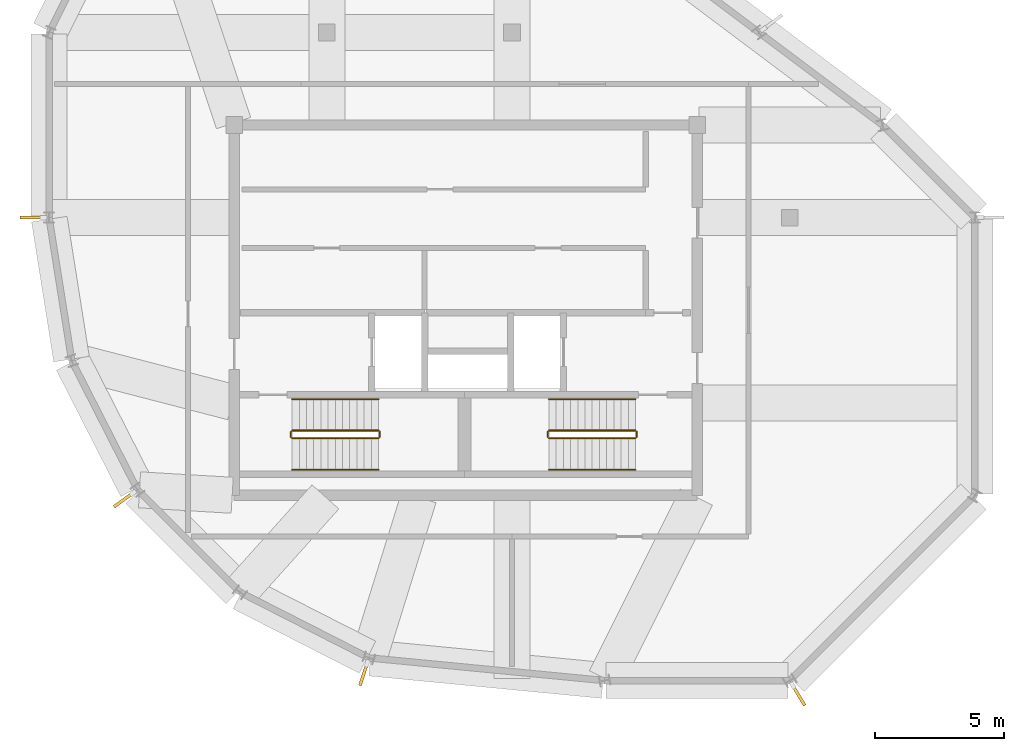
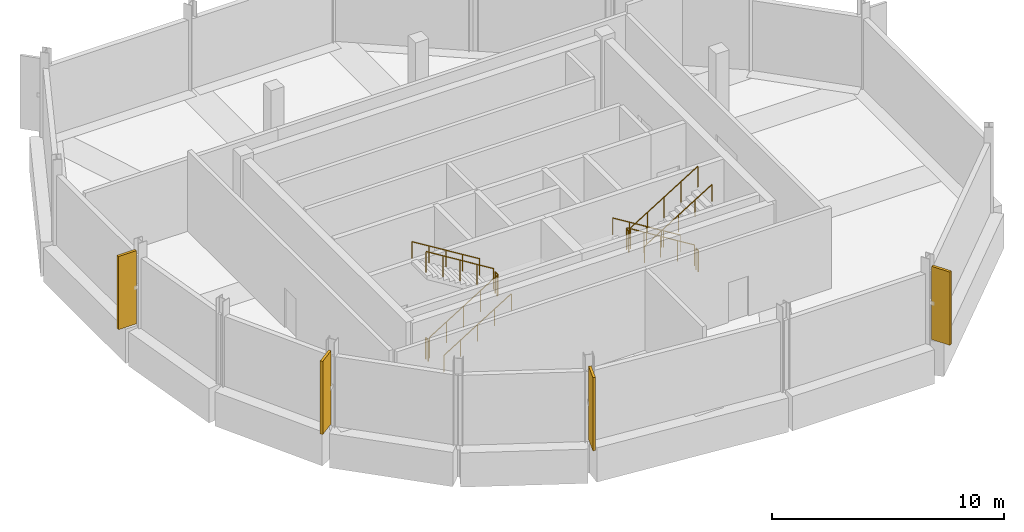
# One storey, part 4 of 5: 12 railings, 4 shading devices.
"""IFC4 building model written with IfcOpenShell, lengths in metres."""

from ifc_helpers import new_model, si_unit, direction, frame, origin, origin_2d, place, context, subcontext, project, spatial, rectangle, circle, extrude, material, type_object, element, save


model = new_model("IFC4")

# Units and contexts
model_context = context("Model", 3, precision=1e-05, world=origin(), true_north=direction((0.0, 1.0)))
body_context = subcontext(model_context, "Body", "Model", "MODEL_VIEW")
ifc_project = project(units=[si_unit("LENGTHUNIT", "METRE"), si_unit("AREAUNIT", "SQUARE_METRE"), si_unit("VOLUMEUNIT", "CUBIC_METRE"), si_unit("PLANEANGLEUNIT", "RADIAN"), si_unit("MASSUNIT", "GRAM", prefix="KILO")], contexts=[model_context])

# Site, building, storey
site_placement = place(None, origin())
site = spatial("IfcSite", under=ifc_project, at=site_placement, CompositionType="ELEMENT")
building_placement = place(site_placement, origin())
building = spatial("IfcBuilding", under=site, at=building_placement, Name="Solnavia Interchange Tower", CompositionType="ELEMENT")
storey_placement = place(building_placement, frame((0.0, 0.0, 304.199951171875)))
storey = spatial("IfcBuildingStorey", under=building, at=storey_placement, Name="C01", CompositionType="ELEMENT", Elevation=304.199951171875)

# Shading devices
ifc_material_1 = material(Name="Anodised Aluminium Fin", Category="aluminium")
shading_device_type = type_object("IfcShadingDeviceType", Name="CrownFin-Alu-900", PredefinedType="USERDEFINED", material=ifc_material_1)
for number, where, z_axis, x_axis, name in (
    (1, (6.52001953125, 21.60009765625, 0.199951171875), (0.0, 0.0, 1.0), (-1.0, 0.0, 0.0), "FIN-C01-F09 Crown ring vertical aerofoil fin"),
    (2, (10.087890625, 10.620361328125, 0.199951171875), (0.0, 0.0, 1.0), (-0.809016994375, -0.587785252292, 0.0), "FIN-C01-F11 Crown ring vertical aerofoil fin"),
    (3, (19.427978515625, 3.834228515625, 0.199951171875), (0.0, 0.0, 1.0), (-0.309016994375, -0.951056516295, 0.0), "FIN-C01-F13 Crown ring vertical aerofoil fin"),
    (4, (36.349853515625, 3.016845703125, 0.199951171875), (0.0, 0.0, 1.0), (0.514439533782, -0.857526656194, 0.0), "FIN-C01-F15 Crown ring vertical aerofoil fin"),
):
    element("IfcShadingDevice", number, at=place(storey_placement, frame(where, z_axis=z_axis, x_axis=x_axis)), inside=storey, type_object=shading_device_type, Name=name, ObjectType="FIN", PredefinedType="USERDEFINED", context=body_context, shape_type="SweptSolid", body=[
        extrude(rectangle(XDim=0.89990234375, YDim=0.1201171875, at=origin_2d()), origin(), (0.0, 0.0, 1.0), 3.85009765625),
    ])

# Railings
ifc_material_2 = material(Name="Painted Steel Balustrade", Category="steel")
railing_type_1 = type_object("IfcRailingType", Name="Railing-StairGuard-1100", PredefinedType="GUARDRAIL", material=ifc_material_2)
railing_1_placement = place(storey_placement, frame((16.64990234375, 13.02001953125, 0.173095703125)))
element("IfcRailing", 5, at=railing_1_placement, inside=storey, type_object=railing_type_1, Name="C01 ST-1 stair guard 1", PredefinedType="GUARDRAIL", context=body_context, shape_type="SweptSolid", body=[
    extrude(circle(Radius=0.02392578125, at=origin_2d()), frame((0.0, 0.0, 1.09619140625), z_axis=(0.850623216509, 0.0, 0.525775754039), x_axis=(0.0, 1.0, 0.0)), (0.0, 0.0, 1.0), 3.9501953125),
    extrude(circle(Radius=0.02099609375, at=origin_2d()), origin(), (0.0, 0.0, 1.0), 1.072021484375),
    extrude(circle(Radius=0.02099609375, at=origin_2d()), frame((0.840087890625, 0.0, 0.519287109375)), (0.0, 0.0, 1.0), 1.072021484375),
    extrude(circle(Radius=0.02099609375, at=origin_2d()), frame((1.68017578125, 0.0, 1.03857421875)), (0.0, 0.0, 1.0), 1.072021484375),
    extrude(circle(Radius=0.02099609375, at=origin_2d()), frame((2.52001953125, 0.0, 1.5576171875)), (0.0, 0.0, 1.0), 1.072021484375),
    extrude(circle(Radius=0.02099609375, at=origin_2d()), frame((3.360107421875, 0.0, 2.076904296875)), (0.0, 0.0, 1.0), 1.072021484375),
])
railing_2_placement = place(storey_placement, frame((20.06005859375, 13.070068359375, 2.25)))
element("IfcRailing", 6, at=railing_2_placement, inside=storey, type_object=railing_type_1, Name="C01 ST-1 stair guard 2", PredefinedType="GUARDRAIL", context=body_context, shape_type="SweptSolid", body=[
    extrude(circle(Radius=0.02392578125, at=origin_2d()), frame((0.0, 0.0, 1.09619140625), z_axis=(0.0, 1.0, 0.0), x_axis=(-1.0, 0.0, 0.0)), (0.0, 0.0, 1.0), 0.199951171875),
    extrude(circle(Radius=0.02099609375, at=origin_2d()), origin(), (0.0, 0.0, 1.0), 1.072021484375),
    extrude(circle(Radius=0.02099609375, at=origin_2d()), frame((0.0, 0.199951171875, 0.0)), (0.0, 0.0, 1.0), 1.072021484375),
])
railing_3_placement = place(storey_placement, frame((20.010009765625, 13.320068359375, 2.423095703125)))
element("IfcRailing", 7, at=railing_3_placement, inside=storey, type_object=railing_type_1, Name="C01 ST-1 stair guard 3", PredefinedType="GUARDRAIL", context=body_context, shape_type="SweptSolid", body=[
    extrude(circle(Radius=0.02392578125, at=origin_2d()), frame((0.0, 0.0, 1.09619140625), z_axis=(-0.850623216509, 0.0, 0.525775754039), x_axis=(0.0, -1.0, 0.0)), (0.0, 0.0, 1.0), 3.9501953125),
    extrude(circle(Radius=0.02099609375, at=origin_2d()), origin(), (0.0, 0.0, 1.0), 1.072021484375),
    extrude(circle(Radius=0.02099609375, at=origin_2d()), frame((-0.840087890625, 0.0, 0.519287109375)), (0.0, 0.0, 1.0), 1.072021484375),
    extrude(circle(Radius=0.02099609375, at=origin_2d()), frame((-1.68017578125, 0.0, 1.03857421875)), (0.0, 0.0, 1.0), 1.072021484375),
    extrude(circle(Radius=0.02099609375, at=origin_2d()), frame((-2.52001953125, 0.0, 1.5576171875)), (0.0, 0.0, 1.0), 1.072021484375),
    extrude(circle(Radius=0.02099609375, at=origin_2d()), frame((-3.360107421875, 0.0, 2.076904296875)), (0.0, 0.0, 1.0), 1.072021484375),
])
railing_4_placement = place(storey_placement, frame((16.60009765625, 13.070068359375, 0.0)))
element("IfcRailing", 8, at=railing_4_placement, inside=storey, type_object=railing_type_1, Name="C01 ST-1 stair guard 4", PredefinedType="GUARDRAIL", context=body_context, shape_type="SweptSolid", body=[
    extrude(circle(Radius=0.02392578125, at=origin_2d()), frame((0.0, 0.0, 1.09619140625), z_axis=(0.0, 1.0, 0.0), x_axis=(-1.0, 0.0, 0.0)), (0.0, 0.0, 1.0), 0.199951171875),
    extrude(circle(Radius=0.02099609375, at=origin_2d()), origin(), (0.0, 0.0, 1.0), 1.072021484375),
    extrude(circle(Radius=0.02099609375, at=origin_2d()), frame((0.0, 0.199951171875, 0.0)), (0.0, 0.0, 1.0), 1.072021484375),
])
railing_5_placement = place(storey_placement, frame((30.0, 13.320068359375, 0.173095703125)))
element("IfcRailing", 9, at=railing_5_placement, inside=storey, type_object=railing_type_1, Name="C01 ST-2 stair guard 1", PredefinedType="GUARDRAIL", context=body_context, shape_type="SweptSolid", body=[
    extrude(circle(Radius=0.02392578125, at=origin_2d()), frame((0.0, 0.0, 1.09619140625), z_axis=(-0.850623216509, 0.0, 0.525775754039), x_axis=(0.0, -1.0, 0.0)), (0.0, 0.0, 1.0), 3.9501953125),
    extrude(circle(Radius=0.02099609375, at=origin_2d()), origin(), (0.0, 0.0, 1.0), 1.072021484375),
    extrude(circle(Radius=0.02099609375, at=origin_2d()), frame((-0.840087890625, 0.0, 0.519287109375)), (0.0, 0.0, 1.0), 1.072021484375),
    extrude(circle(Radius=0.02099609375, at=origin_2d()), frame((-1.68017578125, 0.0, 1.03857421875)), (0.0, 0.0, 1.0), 1.072021484375),
    extrude(circle(Radius=0.02099609375, at=origin_2d()), frame((-2.52001953125, 0.0, 1.5576171875)), (0.0, 0.0, 1.0), 1.072021484375),
    extrude(circle(Radius=0.02099609375, at=origin_2d()), frame((-3.360107421875, 0.0, 2.076904296875)), (0.0, 0.0, 1.0), 1.072021484375),
])
railing_6_placement = place(storey_placement, frame((26.590087890625, 13.27001953125, 2.25)))
element("IfcRailing", 10, at=railing_6_placement, inside=storey, type_object=railing_type_1, Name="C01 ST-2 stair guard 2", PredefinedType="GUARDRAIL", context=body_context, shape_type="SweptSolid", body=[
    extrude(circle(Radius=0.02392578125, at=origin_2d()), frame((0.0, 0.0, 1.09619140625), z_axis=(0.0, -1.0, 0.0), x_axis=(1.0, 0.0, 0.0)), (0.0, 0.0, 1.0), 0.199951171875),
    extrude(circle(Radius=0.02099609375, at=origin_2d()), origin(), (0.0, 0.0, 1.0), 1.072021484375),
    extrude(circle(Radius=0.02099609375, at=origin_2d()), frame((0.0, -0.199951171875, 0.0)), (0.0, 0.0, 1.0), 1.072021484375),
])
railing_7_placement = place(storey_placement, frame((26.639892578125, 13.02001953125, 2.423095703125)))
element("IfcRailing", 11, at=railing_7_placement, inside=storey, type_object=railing_type_1, Name="C01 ST-2 stair guard 3", PredefinedType="GUARDRAIL", context=body_context, shape_type="SweptSolid", body=[
    extrude(circle(Radius=0.02392578125, at=origin_2d()), frame((0.0, 0.0, 1.09619140625), z_axis=(0.850623216509, 0.0, 0.525775754039), x_axis=(0.0, 1.0, 0.0)), (0.0, 0.0, 1.0), 3.9501953125),
    extrude(circle(Radius=0.02099609375, at=origin_2d()), origin(), (0.0, 0.0, 1.0), 1.072021484375),
    extrude(circle(Radius=0.02099609375, at=origin_2d()), frame((0.840087890625, 0.0, 0.519287109375)), (0.0, 0.0, 1.0), 1.072021484375),
    extrude(circle(Radius=0.02099609375, at=origin_2d()), frame((1.68017578125, 0.0, 1.03857421875)), (0.0, 0.0, 1.0), 1.072021484375),
    extrude(circle(Radius=0.02099609375, at=origin_2d()), frame((2.52001953125, 0.0, 1.5576171875)), (0.0, 0.0, 1.0), 1.072021484375),
    extrude(circle(Radius=0.02099609375, at=origin_2d()), frame((3.360107421875, 0.0, 2.076904296875)), (0.0, 0.0, 1.0), 1.072021484375),
])
railing_8_placement = place(storey_placement, frame((30.050048828125, 13.27001953125, 0.0)))
element("IfcRailing", 12, at=railing_8_placement, inside=storey, type_object=railing_type_1, Name="C01 ST-2 stair guard 4", PredefinedType="GUARDRAIL", context=body_context, shape_type="SweptSolid", body=[
    extrude(circle(Radius=0.02392578125, at=origin_2d()), frame((0.0, 0.0, 1.09619140625), z_axis=(0.0, -1.0, 0.0), x_axis=(1.0, 0.0, 0.0)), (0.0, 0.0, 1.0), 0.199951171875),
    extrude(circle(Radius=0.02099609375, at=origin_2d()), origin(), (0.0, 0.0, 1.0), 1.072021484375),
    extrude(circle(Radius=0.02099609375, at=origin_2d()), frame((0.0, -0.199951171875, 0.0)), (0.0, 0.0, 1.0), 1.072021484375),
])
ifc_material_3 = material(Name="Brushed Stainless Steel", Category="steel")
railing_type_2 = type_object("IfcRailingType", Name="Railing-StairHandrail-900", PredefinedType="HANDRAIL", material=ifc_material_3)
railing_9_placement = place(storey_placement, frame((16.64990234375, 11.800048828125, 0.173095703125)))
element("IfcRailing", 13, at=railing_9_placement, inside=storey, type_object=railing_type_2, Name="C01 ST-1 stair handrail 1", PredefinedType="HANDRAIL", context=body_context, shape_type="SweptSolid", body=[
    extrude(circle(Radius=0.02392578125, at=origin_2d()), frame((0.0, 0.0, 0.8759765625), z_axis=(0.850623216509, 0.0, 0.525775754039), x_axis=(0.0, 1.0, 0.0)), (0.0, 0.0, 1.0), 3.9501953125),
    extrude(circle(Radius=0.02099609375, at=origin_2d()), origin(), (0.0, 0.0, 1.0), 0.851806640625),
    extrude(circle(Radius=0.02099609375, at=origin_2d()), frame((0.840087890625, 0.0, 0.519287109375)), (0.0, 0.0, 1.0), 0.851806640625),
    extrude(circle(Radius=0.02099609375, at=origin_2d()), frame((1.68017578125, 0.0, 1.03857421875)), (0.0, 0.0, 1.0), 0.851806640625),
    extrude(circle(Radius=0.02099609375, at=origin_2d()), frame((2.52001953125, 0.0, 1.5576171875)), (0.0, 0.0, 1.0), 0.851806640625),
    extrude(circle(Radius=0.02099609375, at=origin_2d()), frame((3.360107421875, 0.0, 2.076904296875)), (0.0, 0.0, 1.0), 0.851806640625),
])
for number, where, name in (
    (14, (20.010009765625, 14.5400390625, 2.423095703125), "C01 ST-1 stair handrail 2"),
    (15, (30.0, 14.5400390625, 0.173095703125), "C01 ST-2 stair handrail 1"),
):
    element("IfcRailing", number, at=place(storey_placement, frame(where)), inside=storey, type_object=railing_type_2, Name=name, PredefinedType="HANDRAIL", context=body_context, shape_type="SweptSolid", body=[
        extrude(circle(Radius=0.02392578125, at=origin_2d()), frame((0.0, 0.0, 0.8759765625), z_axis=(-0.850623216509, 0.0, 0.525775754039), x_axis=(0.0, -1.0, 0.0)), (0.0, 0.0, 1.0), 3.9501953125),
        extrude(circle(Radius=0.02099609375, at=origin_2d()), origin(), (0.0, 0.0, 1.0), 0.851806640625),
        extrude(circle(Radius=0.02099609375, at=origin_2d()), frame((-0.840087890625, 0.0, 0.519287109375)), (0.0, 0.0, 1.0), 0.851806640625),
        extrude(circle(Radius=0.02099609375, at=origin_2d()), frame((-1.68017578125, 0.0, 1.03857421875)), (0.0, 0.0, 1.0), 0.851806640625),
        extrude(circle(Radius=0.02099609375, at=origin_2d()), frame((-2.52001953125, 0.0, 1.5576171875)), (0.0, 0.0, 1.0), 0.851806640625),
        extrude(circle(Radius=0.02099609375, at=origin_2d()), frame((-3.360107421875, 0.0, 2.076904296875)), (0.0, 0.0, 1.0), 0.851806640625),
    ])
railing_10_placement = place(storey_placement, frame((26.639892578125, 11.800048828125, 2.423095703125)))
element("IfcRailing", 16, at=railing_10_placement, inside=storey, type_object=railing_type_2, Name="C01 ST-2 stair handrail 2", PredefinedType="HANDRAIL", context=body_context, shape_type="SweptSolid", body=[
    extrude(circle(Radius=0.02392578125, at=origin_2d()), frame((0.0, 0.0, 0.8759765625), z_axis=(0.850623216509, 0.0, 0.525775754039), x_axis=(0.0, 1.0, 0.0)), (0.0, 0.0, 1.0), 3.9501953125),
    extrude(circle(Radius=0.02099609375, at=origin_2d()), origin(), (0.0, 0.0, 1.0), 0.851806640625),
    extrude(circle(Radius=0.02099609375, at=origin_2d()), frame((0.840087890625, 0.0, 0.519287109375)), (0.0, 0.0, 1.0), 0.851806640625),
    extrude(circle(Radius=0.02099609375, at=origin_2d()), frame((1.68017578125, 0.0, 1.03857421875)), (0.0, 0.0, 1.0), 0.851806640625),
    extrude(circle(Radius=0.02099609375, at=origin_2d()), frame((2.52001953125, 0.0, 1.5576171875)), (0.0, 0.0, 1.0), 0.851806640625),
    extrude(circle(Radius=0.02099609375, at=origin_2d()), frame((3.360107421875, 0.0, 2.076904296875)), (0.0, 0.0, 1.0), 0.851806640625),
])

save(model, "model.ifc")
